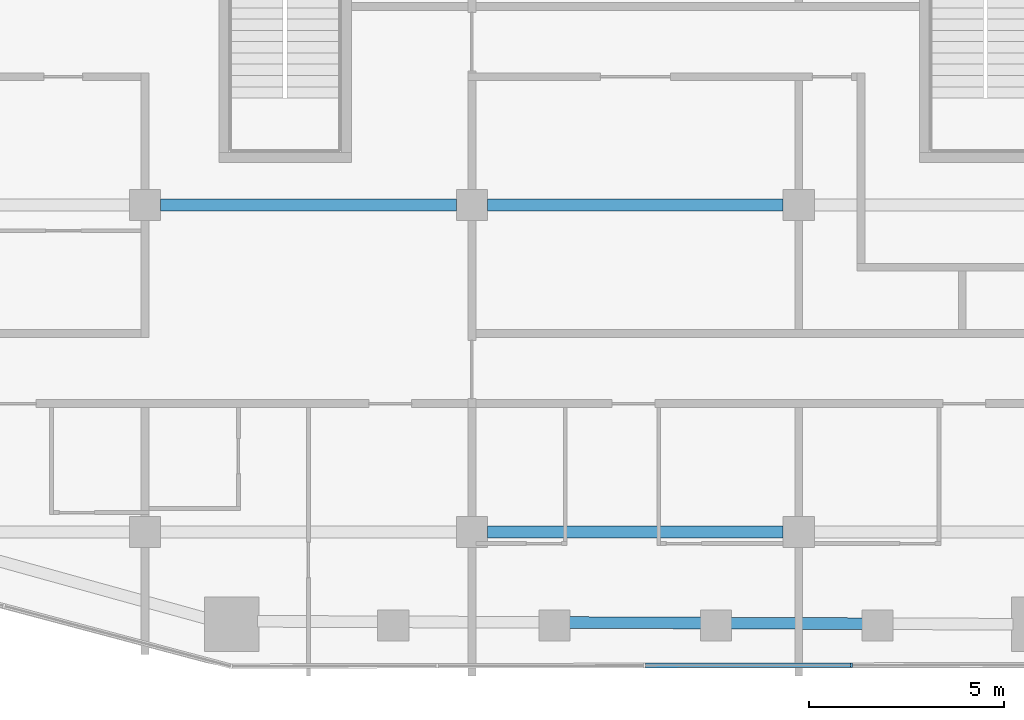
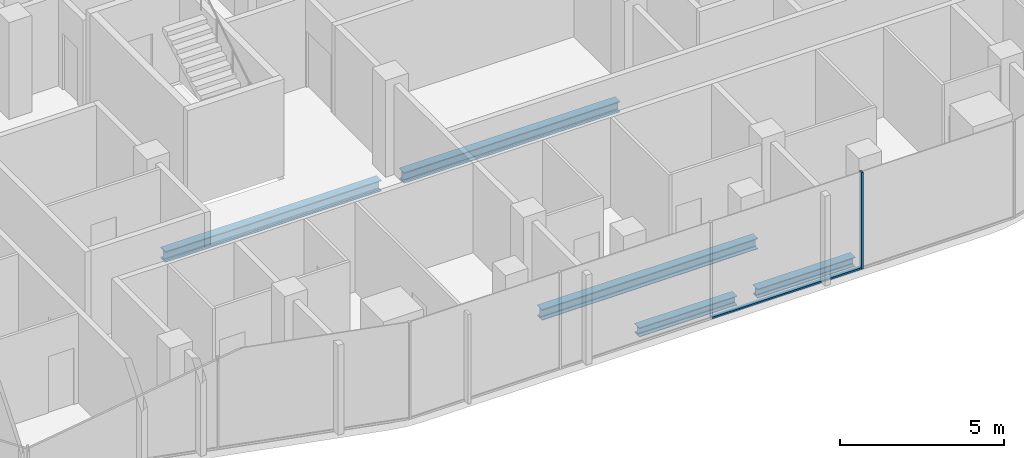
# One storey, part 3 of 21: 5 beams, 2 members, 1 element without a shape of its own.
"""IFC4 building model written with IfcOpenShell, lengths in metres."""

from ifc_helpers import new_model, si_unit, direction, frame, origin, origin_2d, place, context, subcontext, project, spatial, rectangle, i_section, extrude, material, layer, layer_set, material_profile, profile_set, type_object, element, aggregate, save


model = new_model("IFC4")

# Units and contexts
model_context = context("Model", 3, precision=1e-05, world=origin(), true_north=direction((0.0, 1.0)))
body_context = subcontext(model_context, "Body", "Model", "MODEL_VIEW")
ifc_project = project(units=[si_unit("LENGTHUNIT", "METRE"), si_unit("AREAUNIT", "SQUARE_METRE"), si_unit("VOLUMEUNIT", "CUBIC_METRE"), si_unit("PLANEANGLEUNIT", "RADIAN"), si_unit("MASSUNIT", "GRAM", prefix="KILO")], contexts=[model_context])

# Site, building, storey
site_placement = place(None, origin())
site = spatial("IfcSite", under=ifc_project, at=site_placement, CompositionType="ELEMENT")
building_placement = place(site_placement, origin())
building = spatial("IfcBuilding", under=site, at=building_placement, Name="Marenta Gate Hotel Tower", CompositionType="ELEMENT")
storey_placement = place(building_placement, frame((0.0, 0.0, 202.10009765625)))
storey = spatial("IfcBuildingStorey", under=building, at=storey_placement, Name="L46", CompositionType="ELEMENT", Elevation=202.10009765625)

# Beams
ifc_material_1 = material(Name="Steel S355", Category="steel")
ifc_material_profile_1 = material_profile(ifc_material_1, i_section(OverallWidth=0.300048828125, OverallDepth=0.340087890625, WebThickness=0.011962890625, FlangeThickness=0.021484375, FilletRadius=0.027099609375, at=origin_2d()), Name="HEB 340")
ifc_profile_set_1 = profile_set([ifc_material_profile_1], Name="Steel S355")
beam_type_1 = type_object("IfcBeamType", Name="Edge beam HEB 340", PredefinedType="SPANDREL", material=ifc_profile_set_1)
for number, where, z_axis, x_axis, name in (
    (1, (5.860107421875, -27.555419921875, -0.43017578125), (-0.999992599416, 0.003847221457, 0.0), (-0.003847221457, -0.999992599416, 0.0), "L46-EB-33"),
    (2, (1.71337890625, -27.539306640625, -0.43017578125), (-0.999992599416, 0.003847221457, 0.0), (-0.003847221457, -0.999992599416, 0.0), "L46-EB-34"),
):
    element("IfcBeam", number, at=place(storey_placement, frame(where, z_axis=z_axis, x_axis=x_axis)), inside=storey, type_object=beam_type_1, Name=name, PredefinedType="SPANDREL", context=body_context, shape_type="SweptSolid", body=[
        extrude(i_section(OverallWidth=0.300048828125, OverallDepth=0.340087890625, WebThickness=0.011962890625, FlangeThickness=0.021484375, FilletRadius=0.027099609375, at=origin_2d()), origin(), (0.0, 0.0, 1.0), 3.4267578125),
    ])
ifc_material_2 = material(Name="Steel S355", Category="steel")
ifc_material_profile_2 = material_profile(ifc_material_2, i_section(OverallWidth=0.300048828125, OverallDepth=0.39990234375, WebThickness=0.013427734375, FlangeThickness=0.02392578125, FilletRadius=0.027099609375, at=origin_2d()), Name="HEB 400")
ifc_profile_set_2 = profile_set([ifc_material_profile_2], Name="Steel S355")
beam_type_2 = type_object("IfcBeamType", Name="Girder HEB 400", PredefinedType="BEAM", material=ifc_profile_set_2)
beam_1_placement = place(storey_placement, frame((-3.800048828125, -25.199951171875, -0.460205078125), z_axis=(1.0, 0.0, 0.0), x_axis=(0.0, 1.0, 0.0)))
element("IfcBeam", 3, at=beam_1_placement, inside=storey, type_object=beam_type_2, Name="L46-GD-3", PredefinedType="BEAM", context=body_context, shape_type="SweptSolid", body=[
    extrude(i_section(OverallWidth=0.300048828125, OverallDepth=0.39990234375, WebThickness=0.013427734375, FlangeThickness=0.02392578125, FilletRadius=0.027099609375, at=origin_2d()), origin(), (0.0, 0.0, 1.0), 7.60009765625),
])
beam_2_placement = place(storey_placement, frame((-12.199951171875, -16.800048828125, -0.460205078125), z_axis=(1.0, 0.0, 0.0), x_axis=(0.0, 1.0, 0.0)))
element("IfcBeam", 4, at=beam_2_placement, inside=storey, type_object=beam_type_2, Name="L46-GD-8", PredefinedType="BEAM", context=body_context, shape_type="SweptSolid", body=[
    extrude(i_section(OverallWidth=0.300048828125, OverallDepth=0.39990234375, WebThickness=0.013427734375, FlangeThickness=0.02392578125, FilletRadius=0.027099609375, at=origin_2d()), origin(), (0.0, 0.0, 1.0), 7.599853515625),
])
beam_3_placement = place(storey_placement, frame((-3.800048828125, -16.800048828125, -0.460205078125), z_axis=(1.0, 0.0, 0.0), x_axis=(0.0, 1.0, 0.0)))
element("IfcBeam", 5, at=beam_3_placement, inside=storey, type_object=beam_type_2, Name="L46-GD-9", PredefinedType="BEAM", context=body_context, shape_type="SweptSolid", body=[
    extrude(i_section(OverallWidth=0.300048828125, OverallDepth=0.39990234375, WebThickness=0.013427734375, FlangeThickness=0.02392578125, FilletRadius=0.027099609375, at=origin_2d()), origin(), (0.0, 0.0, 1.0), 7.60009765625),
])

# Curtain wall, members
ifc_material_3 = material(Name="Tinted insulated glass in bronze anodised frame", Category="glass")
ifc_layer = layer(ifc_material_3, 0.1201171875)
ifc_layer_set = layer_set([ifc_layer], Name="Tinted insulated glass in bronze anodised frame")
curtain_wall_type = type_object("IfcCurtainWallType", Name="Tower unitised curtain wall CW1", PredefinedType="NOTDEFINED", material=ifc_layer_set)
curtain_wall_placement = place(storey_placement, origin())
curtain_wall = element("IfcCurtainWall", 6, at=curtain_wall_placement, inside=storey, type_object=curtain_wall_type, Name="CW1 run G07", PredefinedType="NOTDEFINED")
ifc_material_4 = material(Name="Bronze anodised aluminium", Category="aluminium")
ifc_material_profile_3 = material_profile(ifc_material_4, rectangle(XDim=0.1201171875, YDim=0.06005859375, at=origin_2d()), Name="Mullion CW1 60x120 bronze anodised aluminium")
ifc_profile_set_3 = profile_set([ifc_material_profile_3], Name="Bronze anodised aluminium")
member_type_1 = type_object("IfcMemberType", Name="Mullion CW1 60x120 bronze anodised aluminium", PredefinedType="MULLION", material=ifc_profile_set_3)
member_1_placement = place(storey_placement, frame((5.5537109375, -28.621337890625, 0.0), z_axis=(0.0, 0.0, 1.0), x_axis=(-0.001644757804, 0.999998647385, 0.0)))
member_1 = element("IfcMember", 7, at=member_1_placement, type_object=member_type_1, Name="CW1 mullion 4", PredefinedType="MULLION", context=body_context, shape_type="SweptSolid", body=[
    extrude(rectangle(XDim=0.1201171875, YDim=0.06005859375, at=origin_2d()), origin(), (0.0, 0.0, 1.0), 3.599853515625),
])
ifc_material_5 = material(Name="Bronze anodised aluminium", Category="aluminium")
ifc_material_profile_4 = material_profile(ifc_material_5, rectangle(XDim=0.1201171875, YDim=0.06005859375, at=origin_2d()), Name="Transom CW1 60x120 bronze anodised aluminium")
ifc_profile_set_4 = profile_set([ifc_material_profile_4], Name="Bronze anodised aluminium")
member_type_2 = type_object("IfcMemberType", Name="Transom CW1 60x120 bronze anodised aluminium", PredefinedType="USERDEFINED", material=ifc_profile_set_4)
member_2_placement = place(storey_placement, frame((0.263916015625, -28.6298828125, 0.02978515625), z_axis=(0.999998680369, 0.001624580106, 0.0), x_axis=(-0.001624580106, 0.999998680369, 0.0)))
member_2 = element("IfcMember", 8, at=member_2_placement, type_object=member_type_2, Name="CW1 transom 3.1", ObjectType="TRANSOM", PredefinedType="USERDEFINED", context=body_context, shape_type="SweptSolid", body=[
    extrude(rectangle(XDim=0.1201171875, YDim=0.06005859375, at=origin_2d()), origin(), (0.0, 0.0, 1.0), 5.259765625),
])
aggregate(curtain_wall, [member_1, member_2])

save(model, "model.ifc")
